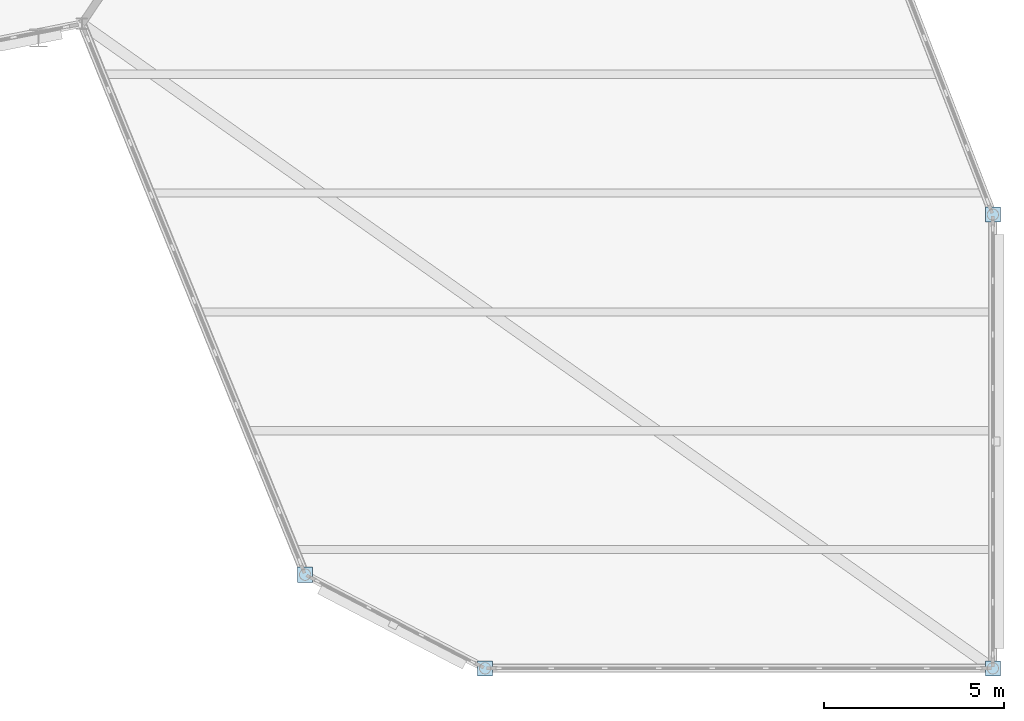
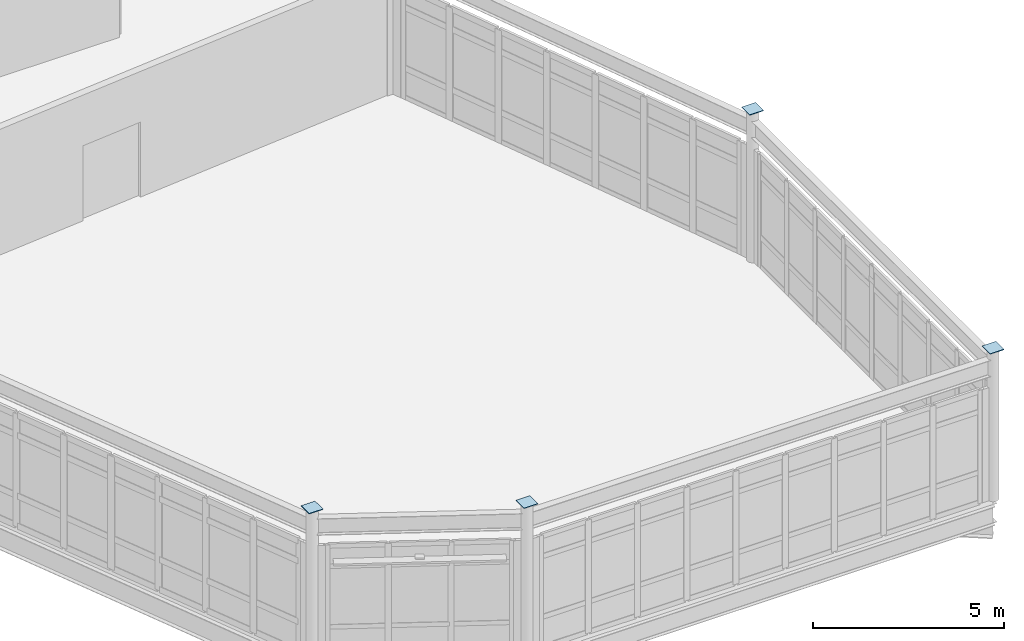
# One storey, part 104 of 134: 4 plates.
"""IFC4 building model written with IfcOpenShell, lengths in metres."""

from ifc_helpers import new_model, si_unit, direction, frame, origin, origin_2d, place, context, subcontext, project, spatial, rectangle, extrude, material, layer, layer_set, type_object, element, save


model = new_model("IFC4")

# Units and contexts
model_context = context("Model", 3, precision=1e-05, world=origin(), true_north=direction((0.0, 1.0)))
body_context = subcontext(model_context, "Body", "Model", "MODEL_VIEW")
ifc_project = project(units=[si_unit("LENGTHUNIT", "METRE"), si_unit("AREAUNIT", "SQUARE_METRE"), si_unit("VOLUMEUNIT", "CUBIC_METRE"), si_unit("PLANEANGLEUNIT", "RADIAN"), si_unit("MASSUNIT", "GRAM", prefix="KILO")], contexts=[model_context])

# Site, building, storey
site_placement = place(None, origin())
site = spatial("IfcSite", under=ifc_project, at=site_placement, CompositionType="ELEMENT")
building_placement = place(site_placement, origin())
building = spatial("IfcBuilding", under=site, at=building_placement, Name="Tameran Prism Museum", CompositionType="ELEMENT")
storey_placement = place(building_placement, frame((0.0, 0.0, 5.39990234375)))
storey = spatial("IfcBuildingStorey", under=building, at=storey_placement, Name="L01", CompositionType="ELEMENT", Elevation=5.39990234375)

# Plates
ifc_material = material(Name="Steel Grade 350 (350 MPa)", Category="steel")
ifc_layer = layer(ifc_material, 0.02001953125)
ifc_layer_set = layer_set([ifc_layer])
plate_type = type_object("IfcPlateType", Name="PL-GUS-20", PredefinedType="USERDEFINED", material=ifc_layer_set)
for number, where, z_axis, x_axis, name in (
    (1, (147.300048828125, 2.60009765625, 4.800048828125), (0.0, 0.0, 1.0), (1.0, 0.0, 0.0), "Hollow Column End Cap Plate CC-CV-62"),
    (2, (152.300048828125, 0.0, 4.800048828125), (0.0, 0.0, 1.0), (1.0, 0.0, 0.0), "Hollow Column End Cap Plate CC-CV-64"),
    (3, (166.39990234375, 0.0, 4.800048828125), (0.0, 0.0, 1.0), (1.0, 0.0, 0.0), "Hollow Column End Cap Plate CC-CV-68"),
    (4, (166.39990234375, 12.60009765625, 4.800048828125), (0.0, 0.0, 1.0), (1.0, 0.0, 0.0), "Hollow Column End Cap Plate CC-CV-69"),
):
    element("IfcPlate", number, at=place(storey_placement, frame(where, z_axis=z_axis, x_axis=x_axis)), inside=storey, type_object=plate_type, Name=name, ObjectType="GUSSET PLATE", PredefinedType="USERDEFINED", context=body_context, shape_type="SweptSolid", body=[
        extrude(rectangle(XDim=0.419921875, YDim=0.419921875, at=origin_2d()), origin(), (0.0, 0.0, 1.0), 0.02001953125),
    ])

save(model, "model.ifc")
